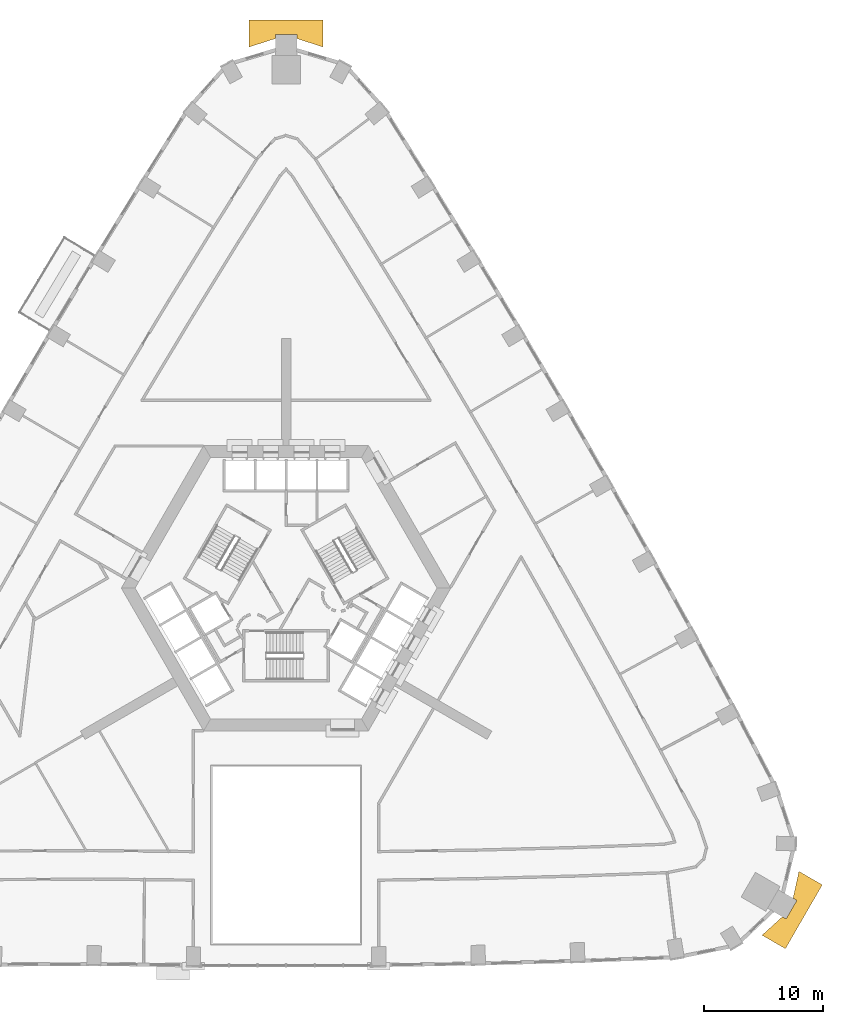
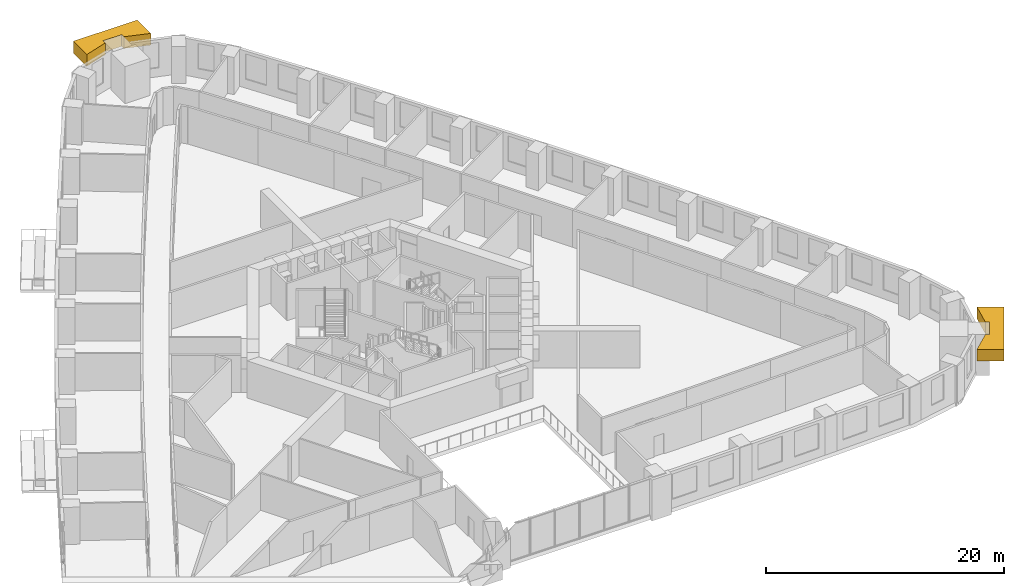
# One storey, part 16 of 16: 2 coverings.
"""IFC4 building model written with IfcOpenShell, lengths in metres."""

from ifc_helpers import new_model, si_unit, direction, frame, origin, place, context, subcontext, project, spatial, polyline, outline, extrude, material, type_object, element, save


model = new_model("IFC4")

# Units and contexts
model_context = context("Model", 3, precision=1e-05, world=origin(), true_north=direction((0.0, 1.0)))
body_context = subcontext(model_context, "Body", "Model", "MODEL_VIEW")
ifc_project = project(units=[si_unit("LENGTHUNIT", "METRE"), si_unit("AREAUNIT", "SQUARE_METRE"), si_unit("VOLUMEUNIT", "CUBIC_METRE"), si_unit("PLANEANGLEUNIT", "RADIAN"), si_unit("MASSUNIT", "GRAM", prefix="KILO")], contexts=[model_context])

# Site, building, storey
site_placement = place(None, origin())
site = spatial("IfcSite", under=ifc_project, at=site_placement, CompositionType="ELEMENT")
building_placement = place(site_placement, origin())
building = spatial("IfcBuilding", under=site, at=building_placement, Name="Entoto Arch Interchange Tower", CompositionType="ELEMENT")
storey_placement = place(building_placement, frame((0.0, 0.0, 68.60009765625)))
storey = spatial("IfcBuildingStorey", under=building, at=storey_placement, Name="L14", CompositionType="ELEMENT", Elevation=68.60009765625)

# Coverings
ifc_material = material(Name="Board-marked precast concrete C50/60", Category="concrete")
covering_type = type_object("IfcCoveringType", Name="PRECAST FRAME COURSE", PredefinedType="CLADDING", material=ifc_material)
covering_1_placement = place(storey_placement, frame((0.0, 0.0, 2.599853515625)))
element("IfcCovering", 1, at=covering_1_placement, inside=storey, type_object=covering_type, Name="Corner pilaster head SE L12-L14", PredefinedType="CLADDING", context=body_context, shape_type="SweptSolid", body=[
    extrude(outline(polyline([(45.095947265625, -22.4560546875), (41.99609375, -27.825927734375), (40.031982421875, -26.69189453125), (41.741943359375, -25.138916015625), (42.055908203125, -25.320068359375), (42.9560546875, -23.761962890625), (42.64208984375, -23.580078125), (43.132080078125, -21.322021484375), (45.095947265625, -22.4560546875)])), origin(), (0.0, 0.0, 1.0), 1.199951171875),
])
covering_2_placement = place(storey_placement, frame((0.0, 0.0, 2.599853515625)))
element("IfcCovering", 2, at=covering_2_placement, inside=storey, type_object=covering_type, Name="Corner pilaster head N L12-L14", PredefinedType="CLADDING", context=body_context, shape_type="SweptSolid", body=[
    extrude(outline(polyline([(-3.10009765625, 50.281982421875), (3.10009765625, 50.281982421875), (3.10009765625, 48.013916015625), (0.89990234375, 48.718994140625), (0.89990234375, 49.08203125), (-0.89990234375, 49.08203125), (-0.89990234375, 48.718994140625), (-3.10009765625, 48.013916015625), (-3.10009765625, 50.281982421875)])), origin(), (0.0, 0.0, 1.0), 1.199951171875),
])

save(model, "model.ifc")
